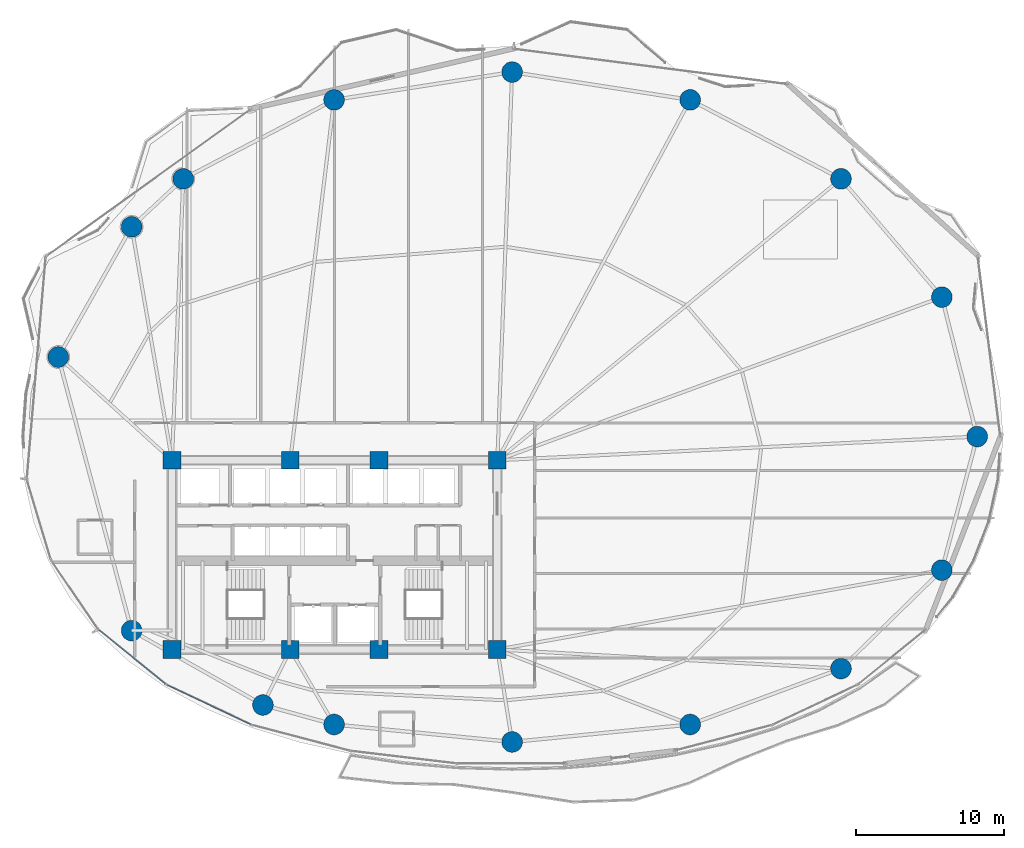
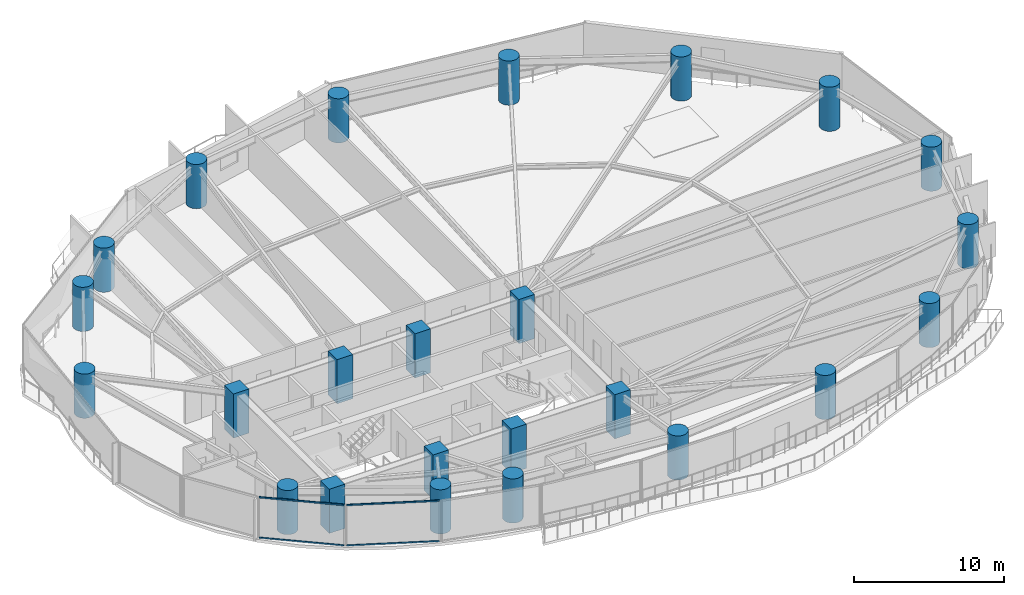
# One storey, part 1 of 30: 24 columns, 4 members, 2 elements without a shape of their own.
"""IFC4 building model written with IfcOpenShell, lengths in metres."""

from ifc_helpers import new_model, si_unit, direction, frame, origin, origin_2d, place, context, subcontext, project, spatial, rectangle, hollow_rectangle, circle, extrude, material, layer, layer_set, material_profile, profile_set, type_object, element, aggregate, save


model = new_model("IFC4")

# Units and contexts
model_context = context("Model", 3, precision=1e-05, world=origin(), true_north=direction((0.0, 1.0)))
body_context = subcontext(model_context, "Body", "Model", "MODEL_VIEW")
ifc_project = project(units=[si_unit("LENGTHUNIT", "METRE"), si_unit("AREAUNIT", "SQUARE_METRE"), si_unit("VOLUMEUNIT", "CUBIC_METRE"), si_unit("PLANEANGLEUNIT", "RADIAN"), si_unit("MASSUNIT", "GRAM", prefix="KILO")], contexts=[model_context])

# Site, building, storey
site_placement = place(None, origin())
site = spatial("IfcSite", under=ifc_project, at=site_placement, CompositionType="ELEMENT")
building_placement = place(site_placement, origin())
building = spatial("IfcBuilding", under=site, at=building_placement, Name="Kazevale Care Tower and Concert Hall", CompositionType="ELEMENT")
storey_placement = place(building_placement, frame((0.0, 0.0, 70.800048828125)))
storey = spatial("IfcBuildingStorey", under=building, at=storey_placement, Name="L18", CompositionType="ELEMENT", Elevation=70.800048828125)

# Columns
ifc_material_1 = material(Name="Concrete C70", Category="concrete")
ifc_material_profile_1 = material_profile(ifc_material_1, rectangle(XDim=1.199951171875, YDim=1.199951171875, at=origin_2d()), Name="RC-SQ1200")
ifc_profile_set_1 = profile_set([ifc_material_profile_1], Name="Concrete C70")
column_type_1 = type_object("IfcColumnType", Name="Core Column SQ1200 C70", PredefinedType="COLUMN", material=ifc_profile_set_1)
for number, where, z_axis, x_axis, name in (
    (1, (22.0, 23.60009765625, 0.0), (0.0, 0.0, 1.0), (1.0, 0.0, 0.0), "col:L18:CC-01"),
    (2, (30.0, 23.60009765625, 0.0), (0.0, 0.0, 1.0), (1.0, 0.0, 0.0), "col:L18:CC-02"),
    (3, (36.0, 23.60009765625, 0.0), (0.0, 0.0, 1.0), (1.0, 0.0, 0.0), "col:L18:CC-03"),
    (4, (44.0, 23.60009765625, 0.0), (0.0, 0.0, 1.0), (1.0, 0.0, 0.0), "col:L18:CC-04"),
    (5, (44.0, 36.39990234375, 0.0), (0.0, 0.0, 1.0), (1.0, 0.0, 0.0), "col:L18:CC-05"),
    (6, (36.0, 36.39990234375, 0.0), (0.0, 0.0, 1.0), (1.0, 0.0, 0.0), "col:L18:CC-06"),
    (7, (30.0, 36.39990234375, 0.0), (0.0, 0.0, 1.0), (1.0, 0.0, 0.0), "col:L18:CC-07"),
    (8, (22.0, 36.39990234375, 0.0), (0.0, 0.0, 1.0), (1.0, 0.0, 0.0), "col:L18:CC-08"),
):
    element("IfcColumn", number, at=place(storey_placement, frame(where, z_axis=z_axis, x_axis=x_axis)), inside=storey, type_object=column_type_1, Name=name, PredefinedType="COLUMN", context=body_context, shape_type="SweptSolid", body=[
        extrude(rectangle(XDim=1.199951171875, YDim=1.199951171875, at=origin_2d()), origin(), (0.0, 0.0, 1.0), 3.599853515625),
    ])
ifc_material_profile_2 = material_profile(ifc_material_1, circle(Radius=0.699951171875, at=origin_2d()), Name="RC-CIR1400")
ifc_profile_set_2 = profile_set([ifc_material_profile_2], Name="Concrete C70")
column_type_2 = type_object("IfcColumnType", Name="Perimeter Column CIR1400 C70", PredefinedType="COLUMN", material=ifc_profile_set_2)
for number, where, z_axis, x_axis, name in (
    (9, (76.449951171875, 38.0, 0.0), (0.0, 0.0, 1.0), (1.0, 0.0, 0.0), "col:L18:PC-01"),
    (10, (74.06005859375, 47.429931640625, 0.0), (0.0, 0.0, 1.0), (1.0, 0.0, 0.0), "col:L18:PC-02"),
    (11, (67.239990234375, 55.429931640625, 0.0), (0.0, 0.0, 1.0), (1.0, 0.0, 0.0), "col:L18:PC-03"),
    (12, (57.0400390625, 60.77001953125, 0.0), (0.0, 0.0, 1.0), (1.0, 0.0, 0.0), "col:L18:PC-04"),
    (13, (45.0, 62.64990234375, 0.0), (0.0, 0.0, 1.0), (1.0, 0.0, 0.0), "col:L18:PC-05"),
    (14, (32.9599609375, 60.77001953125, 0.0), (0.0, 0.0, 1.0), (1.0, 0.0, 0.0), "col:L18:PC-06"),
    (15, (22.760009765625, 55.429931640625, 0.0), (0.0, 0.0, 1.0), (1.0, 0.0, 0.0), "col:L18:PC-07"),
    (16, (19.27001953125, 52.179931640625, 0.0), (0.0, 0.0, 1.0), (1.0, 0.0, 0.0), "col:L18:PC-08"),
    (17, (14.31005859375, 43.3798828125, 0.0), (0.0, 0.0, 1.0), (1.0, 0.0, 0.0), "col:L18:PC-09"),
    (18, (19.27001953125, 24.8798828125, 0.0), (0.0, 0.0, 1.0), (1.0, 0.0, 0.0), "col:L18:PC-10"),
    (19, (28.14990234375, 19.85009765625, 0.0), (0.0, 0.0, 1.0), (1.0, 0.0, 0.0), "col:L18:PC-11"),
    (20, (32.9599609375, 18.530029296875, 0.0), (0.0, 0.0, 1.0), (1.0, 0.0, 0.0), "col:L18:PC-12"),
    (21, (45.0, 17.35009765625, 0.0), (0.0, 0.0, 1.0), (1.0, 0.0, 0.0), "col:L18:PC-13"),
    (22, (57.0400390625, 18.530029296875, 0.0), (0.0, 0.0, 1.0), (1.0, 0.0, 0.0), "col:L18:PC-14"),
    (23, (67.239990234375, 22.31005859375, 0.0), (0.0, 0.0, 1.0), (1.0, 0.0, 0.0), "col:L18:PC-15"),
    (24, (74.06005859375, 28.969970703125, 0.0), (0.0, 0.0, 1.0), (1.0, 0.0, 0.0), "col:L18:PC-16"),
):
    element("IfcColumn", number, at=place(storey_placement, frame(where, z_axis=z_axis, x_axis=x_axis)), inside=storey, type_object=column_type_2, Name=name, PredefinedType="COLUMN", context=body_context, shape_type="SweptSolid", body=[
        extrude(circle(Radius=0.699951171875, at=origin_2d()), origin(), (0.0, 0.0, 1.0), 3.599853515625),
    ])

# Curtain wall, members
ifc_material_2 = material(Name="Aluminium 6063-T6 and Low-E Glass", Category="aluminium")
ifc_layer = layer(ifc_material_2, 0.179931640625)
ifc_layer_set = layer_set([ifc_layer], Name="Aluminium 6063-T6 and Low-E Glass")
curtain_wall_type = type_object("IfcCurtainWallType", Name="Sheltered Concave Balcony Curtain Wall CW-5", PredefinedType="NOTDEFINED", material=ifc_layer_set)
curtain_wall_1_placement = place(storey_placement, origin())
curtain_wall_1 = element("IfcCurtainWall", 25, at=curtain_wall_1_placement, inside=storey, type_object=curtain_wall_type, Name="cw:L18:f09", PredefinedType="NOTDEFINED")
ifc_material_3 = material(Name="Aluminium 6063-T6", Category="aluminium")
ifc_material_profile_3 = material_profile(ifc_material_3, hollow_rectangle(XDim=0.074951171875, YDim=0.1201171875, WallThickness=0.00390625, at=origin_2d()), Name="ALU75x120x4")
ifc_profile_set_3 = profile_set([ifc_material_profile_3], Name="Aluminium 6063-T6")
member_type = type_object("IfcMemberType", Name="CW-5 Transom ALU75x120x4", PredefinedType="USERDEFINED", material=ifc_profile_set_3)
member_1_placement = place(storey_placement, frame((27.3291015625, 18.531005859375, 0.037353515625), z_axis=(-0.904271726847, 0.426957426479, 0.0), x_axis=(-0.426957426479, -0.904271726847, 0.0)))
member_1 = element("IfcMember", 26, at=member_1_placement, type_object=member_type, Name="CW-5 transom 1.1", ObjectType="TRANSOM", PredefinedType="USERDEFINED", context=body_context, shape_type="SweptSolid", body=[
    extrude(hollow_rectangle(XDim=0.074951171875, YDim=0.1201171875, WallThickness=0.00390625, at=origin_2d()), origin(), (0.0, 0.0, 1.0), 6.23974609375),
])
member_2_placement = place(storey_placement, frame((27.3291015625, 18.531005859375, 3.322509765625), z_axis=(-0.904271726847, 0.426957426479, 0.0), x_axis=(-0.426957426479, -0.904271726847, 0.0)))
member_2 = element("IfcMember", 27, at=member_2_placement, type_object=member_type, Name="CW-5 transom 1.2", ObjectType="TRANSOM", PredefinedType="USERDEFINED", context=body_context, shape_type="SweptSolid", body=[
    extrude(hollow_rectangle(XDim=0.074951171875, YDim=0.1201171875, WallThickness=0.00390625, at=origin_2d()), origin(), (0.0, 0.0, 1.0), 6.23974609375),
])
aggregate(curtain_wall_1, [member_1, member_2])

curtain_wall_2_placement = place(storey_placement, origin())
curtain_wall_2 = element("IfcCurtainWall", 28, at=curtain_wall_2_placement, inside=storey, type_object=curtain_wall_type, Name="cw:L18:f10", PredefinedType="NOTDEFINED")
member_3_placement = place(storey_placement, frame((21.560791015625, 21.274169921875, 0.037353515625), z_axis=(-0.77659518273, 0.629999938223, 0.0), x_axis=(-0.629999938223, -0.77659518273, 0.0)))
member_3 = element("IfcMember", 29, at=member_3_placement, type_object=member_type, Name="CW-5 transom 1.1", ObjectType="TRANSOM", PredefinedType="USERDEFINED", context=body_context, shape_type="SweptSolid", body=[
    extrude(hollow_rectangle(XDim=0.074951171875, YDim=0.1201171875, WallThickness=0.00390625, at=origin_2d()), origin(), (0.0, 0.0, 1.0), 5.770751953125),
])
member_4_placement = place(storey_placement, frame((21.560791015625, 21.274169921875, 3.322509765625), z_axis=(-0.77659518273, 0.629999938223, 0.0), x_axis=(-0.629999938223, -0.77659518273, 0.0)))
member_4 = element("IfcMember", 30, at=member_4_placement, type_object=member_type, Name="CW-5 transom 1.2", ObjectType="TRANSOM", PredefinedType="USERDEFINED", context=body_context, shape_type="SweptSolid", body=[
    extrude(hollow_rectangle(XDim=0.074951171875, YDim=0.1201171875, WallThickness=0.00390625, at=origin_2d()), origin(), (0.0, 0.0, 1.0), 5.770751953125),
])
aggregate(curtain_wall_2, [member_3, member_4])

save(model, "model.ifc")
